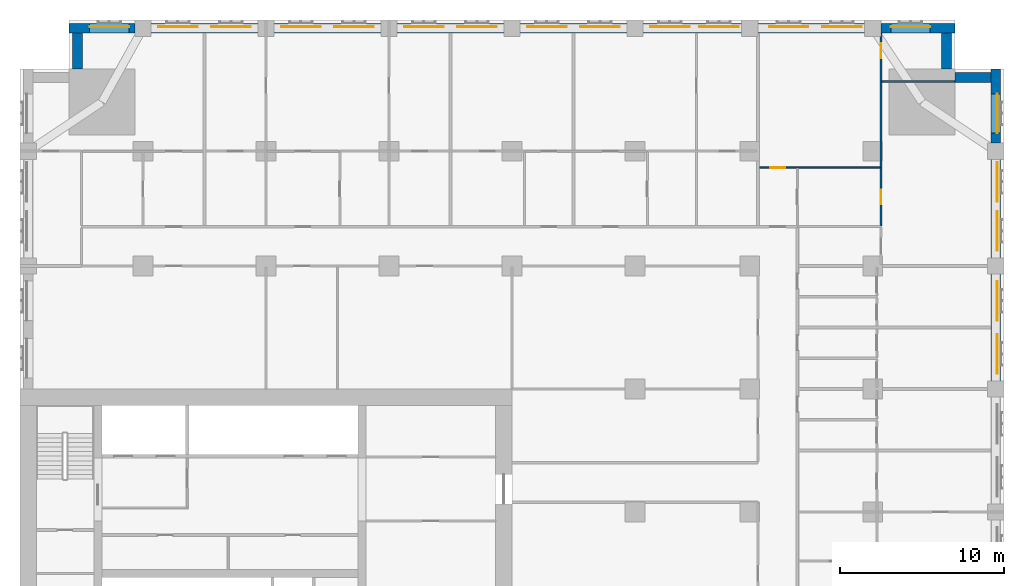
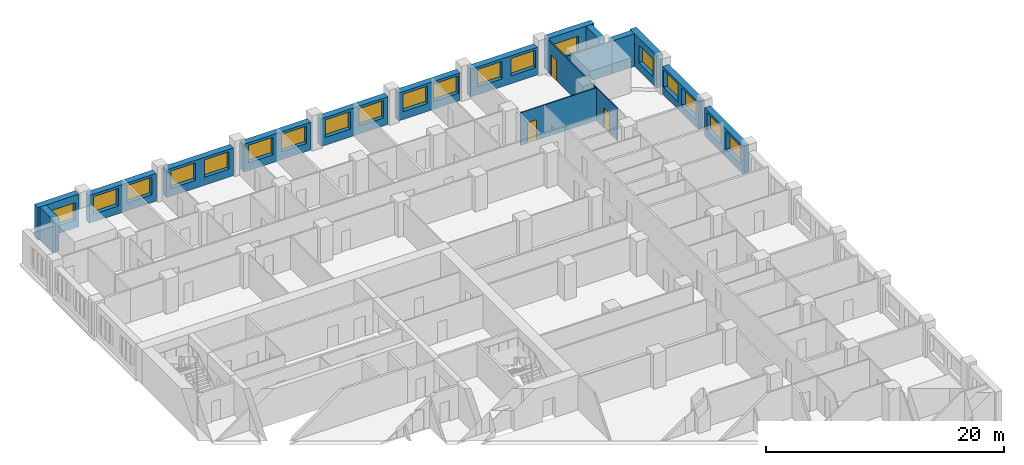
# One storey, part 11 of 14: 19 windows, 17 walls, 3 doors, 22 openings.
"""IFC4 building model written with IfcOpenShell, lengths in metres."""

from ifc_helpers import new_model, si_unit, direction, frame, frame_2d, origin, place, context, subcontext, project, spatial, rectangle, extrude, material, layer, layer_set, type_object, element, fill, save


model = new_model("IFC4")

# Units and contexts
model_context = context("Model", 3, precision=1e-05, world=origin(), true_north=direction((0.0, 1.0)))
body_context = subcontext(model_context, "Body", "Model", "MODEL_VIEW")
ifc_project = project(units=[si_unit("LENGTHUNIT", "METRE"), si_unit("AREAUNIT", "SQUARE_METRE"), si_unit("VOLUMEUNIT", "CUBIC_METRE"), si_unit("PLANEANGLEUNIT", "RADIAN"), si_unit("MASSUNIT", "GRAM", prefix="KILO")], contexts=[model_context])

# Site, building, storey
site_placement = place(None, origin())
site = spatial("IfcSite", under=ifc_project, at=site_placement, CompositionType="ELEMENT")
building_placement = place(site_placement, origin())
building = spatial("IfcBuilding", under=site, at=building_placement, Name="Tamorin Gate", CompositionType="ELEMENT")
storey_placement = place(building_placement, frame((0.0, 0.0, 41.199951171875)))
storey = spatial("IfcBuildingStorey", under=building, at=storey_placement, Name="L08", CompositionType="ELEMENT", Elevation=41.199951171875)

# Wall, openings, windows
ifc_material_1 = material(Name="Precast concrete C40/50", Category="concrete")
ifc_layer_1 = layer(ifc_material_1, 0.60009765625)
ifc_layer_set_1 = layer_set([ifc_layer_1], Name="Precast concrete C40/50")
wall_type_1 = type_object("IfcWallType", Name="Board-marked concrete facade panel 600", PredefinedType="SOLIDWALL", material=ifc_layer_set_1)
wall_1_placement = place(storey_placement, frame((89.5, 83.0, 0.0), z_axis=(0.0, 0.0, 1.0), x_axis=(0.0, 1.0, 0.0)))
wall_1 = element("IfcWall", 1, at=wall_1_placement, inside=storey, type_object=wall_type_1, Name="Facade panel", PredefinedType="SOLIDWALL", context=body_context, shape_type="SweptSolid", body=[
    extrude(rectangle(XDim=6.5, YDim=0.60009765625, at=frame_2d((3.25, 0.0))), origin(), (0.0, 0.0, 1.0), 2.85009765625),
])
opening_1_placement = place(wall_1_placement, frame((0.425048828125, 0.0, 0.800048828125)))
opening_1 = element("IfcOpeningElement", 2, at=opening_1_placement, cuts=wall_1, Name="Opening WN1", PredefinedType="OPENING", context=body_context, shape_type="SweptSolid", body=[
    extrude(rectangle(XDim=2.39990234375, YDim=1.800048828125, at=frame_2d((1.199951171875, 0.89990234375))), frame((0.0, 0.31005859375, 0.0), z_axis=(0.0, -1.0, 0.0), x_axis=(1.0, 0.0, 0.0)), (0.0, 0.0, 1.0), 0.6201171875),
])
opening_2_placement = place(wall_1_placement, frame((3.675048828125, 0.0, 0.800048828125)))
opening_2 = element("IfcOpeningElement", 3, at=opening_2_placement, cuts=wall_1, Name="Opening WN1", PredefinedType="OPENING", context=body_context, shape_type="SweptSolid", body=[
    extrude(rectangle(XDim=2.39990234375, YDim=1.800048828125, at=frame_2d((1.199951171875, 0.89990234375))), frame((0.0, 0.31005859375, 0.0), z_axis=(0.0, -1.0, 0.0), x_axis=(1.0, 0.0, 0.0)), (0.0, 0.0, 1.0), 0.6201171875),
])
ifc_material_2 = material(Name="Clear glass in aluminium frame", Category="aluminium")
window_type = type_object("IfcWindowType", Name="Deep-set window 2400x1800", PartitioningType="SINGLE_PANEL", PredefinedType="WINDOW", material=ifc_material_2)
window_1_placement = place(opening_1_placement, origin())
window_1 = element("IfcWindow", 4, at=window_1_placement, inside=storey, type_object=window_type, Name="Deep-set window", OverallHeight=1.800048828125, OverallWidth=2.39990234375, PartitioningType="SINGLE_PANEL", PredefinedType="WINDOW", context=body_context, shape_type="SweptSolid", body=[
    extrude(rectangle(XDim=2.39990234375, YDim=1.800048828125, at=frame_2d((1.199951171875, 0.89990234375))), frame((0.0, -0.070068359375, 0.0), z_axis=(0.0, -1.0, 0.0), x_axis=(1.0, 0.0, 0.0)), (0.0, 0.0, 1.0), 0.06005859375),
])
fill(opening_1, window_1)
window_2_placement = place(opening_2_placement, origin())
window_2 = element("IfcWindow", 5, at=window_2_placement, inside=storey, type_object=window_type, Name="Deep-set window", OverallHeight=1.800048828125, OverallWidth=2.39990234375, PartitioningType="SINGLE_PANEL", PredefinedType="WINDOW", context=body_context, shape_type="SweptSolid", body=[
    extrude(rectangle(XDim=2.39990234375, YDim=1.800048828125, at=frame_2d((1.199951171875, 0.89990234375))), frame((0.0, -0.070068359375, 0.0), z_axis=(0.0, -1.0, 0.0), x_axis=(1.0, 0.0, 0.0)), (0.0, 0.0, 1.0), 0.06005859375),
])
fill(opening_2, window_2)

wall_2_placement = place(storey_placement, frame((89.5, 90.5, 0.0), z_axis=(0.0, 0.0, 1.0), x_axis=(0.0, 1.0, 0.0)))
wall_2 = element("IfcWall", 6, at=wall_2_placement, inside=storey, type_object=wall_type_1, Name="Facade panel", PredefinedType="SOLIDWALL", context=body_context, shape_type="SweptSolid", body=[
    extrude(rectangle(XDim=6.0, YDim=0.60009765625, at=frame_2d((3.0, 0.0))), origin(), (0.0, 0.0, 1.0), 2.85009765625),
])
opening_3_placement = place(wall_2_placement, frame((0.425048828125, 0.0, 0.800048828125)))
opening_3 = element("IfcOpeningElement", 7, at=opening_3_placement, cuts=wall_2, Name="Opening WN1", PredefinedType="OPENING", context=body_context, shape_type="SweptSolid", body=[
    extrude(rectangle(XDim=2.39990234375, YDim=1.800048828125, at=frame_2d((1.199951171875, 0.89990234375))), frame((0.0, 0.31005859375, 0.0), z_axis=(0.0, -1.0, 0.0), x_axis=(1.0, 0.0, 0.0)), (0.0, 0.0, 1.0), 0.6201171875),
])
opening_4_placement = place(wall_2_placement, frame((3.425048828125, 0.0, 0.800048828125)))
opening_4 = element("IfcOpeningElement", 8, at=opening_4_placement, cuts=wall_2, Name="Opening WN1", PredefinedType="OPENING", context=body_context, shape_type="SweptSolid", body=[
    extrude(rectangle(XDim=2.39990234375, YDim=1.800048828125, at=frame_2d((1.199951171875, 0.89990234375))), frame((0.0, 0.31005859375, 0.0), z_axis=(0.0, -1.0, 0.0), x_axis=(1.0, 0.0, 0.0)), (0.0, 0.0, 1.0), 0.6201171875),
])
window_3_placement = place(opening_3_placement, origin())
window_3 = element("IfcWindow", 9, at=window_3_placement, inside=storey, type_object=window_type, Name="Deep-set window", OverallHeight=1.800048828125, OverallWidth=2.39990234375, PartitioningType="SINGLE_PANEL", PredefinedType="WINDOW", context=body_context, shape_type="SweptSolid", body=[
    extrude(rectangle(XDim=2.39990234375, YDim=1.800048828125, at=frame_2d((1.199951171875, 0.89990234375))), frame((0.0, -0.070068359375, 0.0), z_axis=(0.0, -1.0, 0.0), x_axis=(1.0, 0.0, 0.0)), (0.0, 0.0, 1.0), 0.06005859375),
])
fill(opening_3, window_3)
window_4_placement = place(opening_4_placement, origin())
window_4 = element("IfcWindow", 10, at=window_4_placement, inside=storey, type_object=window_type, Name="Deep-set window", OverallHeight=1.800048828125, OverallWidth=2.39990234375, PartitioningType="SINGLE_PANEL", PredefinedType="WINDOW", context=body_context, shape_type="SweptSolid", body=[
    extrude(rectangle(XDim=2.39990234375, YDim=1.800048828125, at=frame_2d((1.199951171875, 0.89990234375))), frame((0.0, -0.070068359375, 0.0), z_axis=(0.0, -1.0, 0.0), x_axis=(1.0, 0.0, 0.0)), (0.0, 0.0, 1.0), 0.06005859375),
])
fill(opening_4, window_4)

# Wall, opening, window
wall_3_placement = place(storey_placement, frame((89.5, 97.5, 0.0), z_axis=(0.0, 0.0, 1.0), x_axis=(0.0, 1.0, 0.0)))
wall_3 = element("IfcWall", 11, at=wall_3_placement, inside=storey, type_object=wall_type_1, Name="Facade panel", PredefinedType="SOLIDWALL", context=body_context, shape_type="SweptSolid", body=[
    extrude(rectangle(XDim=4.5, YDim=0.60009765625, at=frame_2d((2.25, 0.0))), origin(), (0.0, 0.0, 1.0), 3.35009765625),
])
opening_5_placement = place(wall_3_placement, frame((0.60009765625, 0.0, 0.800048828125)))
opening_5 = element("IfcOpeningElement", 12, at=opening_5_placement, cuts=wall_3, Name="Opening WN1", PredefinedType="OPENING", context=body_context, shape_type="SweptSolid", body=[
    extrude(rectangle(XDim=2.39990234375, YDim=1.800048828125, at=frame_2d((1.199951171875, 0.89990234375))), frame((0.0, 0.31005859375, 0.0), z_axis=(0.0, -1.0, 0.0), x_axis=(1.0, 0.0, 0.0)), (0.0, 0.0, 1.0), 0.6201171875),
])
window_5_placement = place(opening_5_placement, origin())
window_5 = element("IfcWindow", 13, at=window_5_placement, inside=storey, type_object=window_type, Name="Deep-set window", OverallHeight=1.800048828125, OverallWidth=2.39990234375, PartitioningType="SINGLE_PANEL", PredefinedType="WINDOW", context=body_context, shape_type="SweptSolid", body=[
    extrude(rectangle(XDim=2.39990234375, YDim=1.800048828125, at=frame_2d((1.199951171875, 0.89990234375))), frame((0.0, -0.070068359375, 0.0), z_axis=(0.0, -1.0, 0.0), x_axis=(1.0, 0.0, 0.0)), (0.0, 0.0, 1.0), 0.06005859375),
])
fill(opening_5, window_5)

# Walls
for number, where, z_axis, x_axis, name in (
    (14, (89.199951171875, 101.5, 0.0), (0.0, 0.0, 1.0), (-1.0, 0.0, 0.0), "Facade panel"),
    (15, (86.5, 102.0, 0.0), (0.0, 0.0, 1.0), (0.0, 1.0, 0.0), "Facade panel"),
):
    element("IfcWall", number, at=place(storey_placement, frame(where, z_axis=z_axis, x_axis=x_axis)), inside=storey, type_object=wall_type_1, Name=name, PredefinedType="SOLIDWALL", context=body_context, shape_type="SweptSolid", body=[
        extrude(rectangle(XDim=2.199951171875, YDim=0.60009765625, at=frame_2d((1.10009765625, 0.0))), origin(), (0.0, 0.0, 1.0), 3.35009765625),
    ])

# Wall, opening, window
wall_4_placement = place(storey_placement, frame((87.0, 104.5, 0.0), z_axis=(0.0, 0.0, 1.0), x_axis=(-1.0, 0.0, 0.0)))
wall_4 = element("IfcWall", 16, at=wall_4_placement, inside=storey, type_object=wall_type_1, Name="Facade panel", PredefinedType="SOLIDWALL", context=body_context, shape_type="SweptSolid", body=[
    extrude(rectangle(XDim=4.5, YDim=0.60009765625, at=frame_2d((2.25, 0.0))), origin(), (0.0, 0.0, 1.0), 3.35009765625),
])
opening_6_placement = place(wall_4_placement, frame((1.5, 0.0, 0.800048828125)))
opening_6 = element("IfcOpeningElement", 17, at=opening_6_placement, cuts=wall_4, Name="Opening WN1", PredefinedType="OPENING", context=body_context, shape_type="SweptSolid", body=[
    extrude(rectangle(XDim=2.39990234375, YDim=1.800048828125, at=frame_2d((1.199951171875, 0.89990234375))), frame((0.0, 0.31005859375, 0.0), z_axis=(0.0, -1.0, 0.0), x_axis=(1.0, 0.0, 0.0)), (0.0, 0.0, 1.0), 0.6201171875),
])
window_6_placement = place(opening_6_placement, origin())
window_6 = element("IfcWindow", 18, at=window_6_placement, inside=storey, type_object=window_type, Name="Deep-set window", OverallHeight=1.800048828125, OverallWidth=2.39990234375, PartitioningType="SINGLE_PANEL", PredefinedType="WINDOW", context=body_context, shape_type="SweptSolid", body=[
    extrude(rectangle(XDim=2.39990234375, YDim=1.800048828125, at=frame_2d((1.199951171875, 0.89990234375))), frame((0.0, -0.070068359375, 0.0), z_axis=(0.0, -1.0, 0.0), x_axis=(1.0, 0.0, 0.0)), (0.0, 0.0, 1.0), 0.06005859375),
])
fill(opening_6, window_6)

# Wall, openings, windows
wall_5_placement = place(storey_placement, frame((81.5, 104.5, 0.0), z_axis=(0.0, 0.0, 1.0), x_axis=(-1.0, 0.0, 0.0)))
wall_5 = element("IfcWall", 19, at=wall_5_placement, inside=storey, type_object=wall_type_1, Name="Facade panel", PredefinedType="SOLIDWALL", context=body_context, shape_type="SweptSolid", body=[
    extrude(rectangle(XDim=6.5, YDim=0.60009765625, at=frame_2d((3.25, 0.0))), origin(), (0.0, 0.0, 1.0), 2.85009765625),
])
opening_7_placement = place(wall_5_placement, frame((3.425048828125, 0.0, 0.800048828125)))
opening_7 = element("IfcOpeningElement", 20, at=opening_7_placement, cuts=wall_5, Name="Opening WN1", PredefinedType="OPENING", context=body_context, shape_type="SweptSolid", body=[
    extrude(rectangle(XDim=2.39990234375, YDim=1.800048828125, at=frame_2d((1.199951171875, 0.89990234375))), frame((0.0, 0.31005859375, 0.0), z_axis=(0.0, -1.0, 0.0), x_axis=(1.0, 0.0, 0.0)), (0.0, 0.0, 1.0), 0.6201171875),
])
opening_8_placement = place(wall_5_placement, frame((0.175048828125, 0.0, 0.800048828125)))
opening_8 = element("IfcOpeningElement", 21, at=opening_8_placement, cuts=wall_5, Name="Opening WN1", PredefinedType="OPENING", context=body_context, shape_type="SweptSolid", body=[
    extrude(rectangle(XDim=2.39990234375, YDim=1.800048828125, at=frame_2d((1.199951171875, 0.89990234375))), frame((0.0, 0.31005859375, 0.0), z_axis=(0.0, -1.0, 0.0), x_axis=(1.0, 0.0, 0.0)), (0.0, 0.0, 1.0), 0.6201171875),
])
window_7_placement = place(opening_7_placement, origin())
window_7 = element("IfcWindow", 22, at=window_7_placement, inside=storey, type_object=window_type, Name="Deep-set window", OverallHeight=1.800048828125, OverallWidth=2.39990234375, PartitioningType="SINGLE_PANEL", PredefinedType="WINDOW", context=body_context, shape_type="SweptSolid", body=[
    extrude(rectangle(XDim=2.39990234375, YDim=1.800048828125, at=frame_2d((1.199951171875, 0.89990234375))), frame((0.0, -0.070068359375, 0.0), z_axis=(0.0, -1.0, 0.0), x_axis=(1.0, 0.0, 0.0)), (0.0, 0.0, 1.0), 0.06005859375),
])
fill(opening_7, window_7)
window_8_placement = place(opening_8_placement, origin())
window_8 = element("IfcWindow", 23, at=window_8_placement, inside=storey, type_object=window_type, Name="Deep-set window", OverallHeight=1.800048828125, OverallWidth=2.39990234375, PartitioningType="SINGLE_PANEL", PredefinedType="WINDOW", context=body_context, shape_type="SweptSolid", body=[
    extrude(rectangle(XDim=2.39990234375, YDim=1.800048828125, at=frame_2d((1.199951171875, 0.89990234375))), frame((0.0, -0.070068359375, 0.0), z_axis=(0.0, -1.0, 0.0), x_axis=(1.0, 0.0, 0.0)), (0.0, 0.0, 1.0), 0.06005859375),
])
fill(opening_8, window_8)

wall_6_placement = place(storey_placement, frame((74.0, 104.5, 0.0), z_axis=(0.0, 0.0, 1.0), x_axis=(-1.0, 0.0, 0.0)))
wall_6 = element("IfcWall", 24, at=wall_6_placement, inside=storey, type_object=wall_type_1, Name="Facade panel", PredefinedType="SOLIDWALL", context=body_context, shape_type="SweptSolid", body=[
    extrude(rectangle(XDim=6.0, YDim=0.60009765625, at=frame_2d((3.0, 0.0))), origin(), (0.0, 0.0, 1.0), 2.85009765625),
])
opening_9_placement = place(wall_6_placement, frame((3.175048828125, 0.0, 0.800048828125)))
opening_9 = element("IfcOpeningElement", 25, at=opening_9_placement, cuts=wall_6, Name="Opening WN1", PredefinedType="OPENING", context=body_context, shape_type="SweptSolid", body=[
    extrude(rectangle(XDim=2.39990234375, YDim=1.800048828125, at=frame_2d((1.199951171875, 0.89990234375))), frame((0.0, 0.31005859375, 0.0), z_axis=(0.0, -1.0, 0.0), x_axis=(1.0, 0.0, 0.0)), (0.0, 0.0, 1.0), 0.6201171875),
])
opening_10_placement = place(wall_6_placement, frame((0.175048828125, 0.0, 0.800048828125)))
opening_10 = element("IfcOpeningElement", 26, at=opening_10_placement, cuts=wall_6, Name="Opening WN1", PredefinedType="OPENING", context=body_context, shape_type="SweptSolid", body=[
    extrude(rectangle(XDim=2.39990234375, YDim=1.800048828125, at=frame_2d((1.199951171875, 0.89990234375))), frame((0.0, 0.31005859375, 0.0), z_axis=(0.0, -1.0, 0.0), x_axis=(1.0, 0.0, 0.0)), (0.0, 0.0, 1.0), 0.6201171875),
])
window_9_placement = place(opening_9_placement, origin())
window_9 = element("IfcWindow", 27, at=window_9_placement, inside=storey, type_object=window_type, Name="Deep-set window", OverallHeight=1.800048828125, OverallWidth=2.39990234375, PartitioningType="SINGLE_PANEL", PredefinedType="WINDOW", context=body_context, shape_type="SweptSolid", body=[
    extrude(rectangle(XDim=2.39990234375, YDim=1.800048828125, at=frame_2d((1.199951171875, 0.89990234375))), frame((0.0, -0.070068359375, 0.0), z_axis=(0.0, -1.0, 0.0), x_axis=(1.0, 0.0, 0.0)), (0.0, 0.0, 1.0), 0.06005859375),
])
fill(opening_9, window_9)
window_10_placement = place(opening_10_placement, origin())
window_10 = element("IfcWindow", 28, at=window_10_placement, inside=storey, type_object=window_type, Name="Deep-set window", OverallHeight=1.800048828125, OverallWidth=2.39990234375, PartitioningType="SINGLE_PANEL", PredefinedType="WINDOW", context=body_context, shape_type="SweptSolid", body=[
    extrude(rectangle(XDim=2.39990234375, YDim=1.800048828125, at=frame_2d((1.199951171875, 0.89990234375))), frame((0.0, -0.070068359375, 0.0), z_axis=(0.0, -1.0, 0.0), x_axis=(1.0, 0.0, 0.0)), (0.0, 0.0, 1.0), 0.06005859375),
])
fill(opening_10, window_10)

wall_7_placement = place(storey_placement, frame((67.0, 104.5, 0.0), z_axis=(0.0, 0.0, 1.0), x_axis=(-1.0, 0.0, 0.0)))
wall_7 = element("IfcWall", 29, at=wall_7_placement, inside=storey, type_object=wall_type_1, Name="Facade panel", PredefinedType="SOLIDWALL", context=body_context, shape_type="SweptSolid", body=[
    extrude(rectangle(XDim=6.5, YDim=0.60009765625, at=frame_2d((3.25, 0.0))), origin(), (0.0, 0.0, 1.0), 2.85009765625),
])
opening_11_placement = place(wall_7_placement, frame((3.675048828125, 0.0, 0.800048828125)))
opening_11 = element("IfcOpeningElement", 30, at=opening_11_placement, cuts=wall_7, Name="Opening WN1", PredefinedType="OPENING", context=body_context, shape_type="SweptSolid", body=[
    extrude(rectangle(XDim=2.39990234375, YDim=1.800048828125, at=frame_2d((1.199951171875, 0.89990234375))), frame((0.0, 0.31005859375, 0.0), z_axis=(0.0, -1.0, 0.0), x_axis=(1.0, 0.0, 0.0)), (0.0, 0.0, 1.0), 0.6201171875),
])
opening_12_placement = place(wall_7_placement, frame((0.425048828125, 0.0, 0.800048828125)))
opening_12 = element("IfcOpeningElement", 31, at=opening_12_placement, cuts=wall_7, Name="Opening WN1", PredefinedType="OPENING", context=body_context, shape_type="SweptSolid", body=[
    extrude(rectangle(XDim=2.39990234375, YDim=1.800048828125, at=frame_2d((1.199951171875, 0.89990234375))), frame((0.0, 0.31005859375, 0.0), z_axis=(0.0, -1.0, 0.0), x_axis=(1.0, 0.0, 0.0)), (0.0, 0.0, 1.0), 0.6201171875),
])
window_11_placement = place(opening_11_placement, origin())
window_11 = element("IfcWindow", 32, at=window_11_placement, inside=storey, type_object=window_type, Name="Deep-set window", OverallHeight=1.800048828125, OverallWidth=2.39990234375, PartitioningType="SINGLE_PANEL", PredefinedType="WINDOW", context=body_context, shape_type="SweptSolid", body=[
    extrude(rectangle(XDim=2.39990234375, YDim=1.800048828125, at=frame_2d((1.199951171875, 0.89990234375))), frame((0.0, -0.070068359375, 0.0), z_axis=(0.0, -1.0, 0.0), x_axis=(1.0, 0.0, 0.0)), (0.0, 0.0, 1.0), 0.06005859375),
])
fill(opening_11, window_11)
window_12_placement = place(opening_12_placement, origin())
window_12 = element("IfcWindow", 33, at=window_12_placement, inside=storey, type_object=window_type, Name="Deep-set window", OverallHeight=1.800048828125, OverallWidth=2.39990234375, PartitioningType="SINGLE_PANEL", PredefinedType="WINDOW", context=body_context, shape_type="SweptSolid", body=[
    extrude(rectangle(XDim=2.39990234375, YDim=1.800048828125, at=frame_2d((1.199951171875, 0.89990234375))), frame((0.0, -0.070068359375, 0.0), z_axis=(0.0, -1.0, 0.0), x_axis=(1.0, 0.0, 0.0)), (0.0, 0.0, 1.0), 0.06005859375),
])
fill(opening_12, window_12)

wall_8_placement = place(storey_placement, frame((59.5, 104.5, 0.0), z_axis=(0.0, 0.0, 1.0), x_axis=(-1.0, 0.0, 0.0)))
wall_8 = element("IfcWall", 34, at=wall_8_placement, inside=storey, type_object=wall_type_1, Name="Facade panel", PredefinedType="SOLIDWALL", context=body_context, shape_type="SweptSolid", body=[
    extrude(rectangle(XDim=6.5, YDim=0.60009765625, at=frame_2d((3.25, 0.0))), origin(), (0.0, 0.0, 1.0), 2.85009765625),
])
opening_13_placement = place(wall_8_placement, frame((3.675048828125, 0.0, 0.800048828125)))
opening_13 = element("IfcOpeningElement", 35, at=opening_13_placement, cuts=wall_8, Name="Opening WN1", PredefinedType="OPENING", context=body_context, shape_type="SweptSolid", body=[
    extrude(rectangle(XDim=2.39990234375, YDim=1.800048828125, at=frame_2d((1.199951171875, 0.89990234375))), frame((0.0, 0.31005859375, 0.0), z_axis=(0.0, -1.0, 0.0), x_axis=(1.0, 0.0, 0.0)), (0.0, 0.0, 1.0), 0.6201171875),
])
opening_14_placement = place(wall_8_placement, frame((0.425048828125, 0.0, 0.800048828125)))
opening_14 = element("IfcOpeningElement", 36, at=opening_14_placement, cuts=wall_8, Name="Opening WN1", PredefinedType="OPENING", context=body_context, shape_type="SweptSolid", body=[
    extrude(rectangle(XDim=2.39990234375, YDim=1.800048828125, at=frame_2d((1.199951171875, 0.89990234375))), frame((0.0, 0.31005859375, 0.0), z_axis=(0.0, -1.0, 0.0), x_axis=(1.0, 0.0, 0.0)), (0.0, 0.0, 1.0), 0.6201171875),
])
window_13_placement = place(opening_13_placement, origin())
window_13 = element("IfcWindow", 37, at=window_13_placement, inside=storey, type_object=window_type, Name="Deep-set window", OverallHeight=1.800048828125, OverallWidth=2.39990234375, PartitioningType="SINGLE_PANEL", PredefinedType="WINDOW", context=body_context, shape_type="SweptSolid", body=[
    extrude(rectangle(XDim=2.39990234375, YDim=1.800048828125, at=frame_2d((1.199951171875, 0.89990234375))), frame((0.0, -0.070068359375, 0.0), z_axis=(0.0, -1.0, 0.0), x_axis=(1.0, 0.0, 0.0)), (0.0, 0.0, 1.0), 0.06005859375),
])
fill(opening_13, window_13)
window_14_placement = place(opening_14_placement, origin())
window_14 = element("IfcWindow", 38, at=window_14_placement, inside=storey, type_object=window_type, Name="Deep-set window", OverallHeight=1.800048828125, OverallWidth=2.39990234375, PartitioningType="SINGLE_PANEL", PredefinedType="WINDOW", context=body_context, shape_type="SweptSolid", body=[
    extrude(rectangle(XDim=2.39990234375, YDim=1.800048828125, at=frame_2d((1.199951171875, 0.89990234375))), frame((0.0, -0.070068359375, 0.0), z_axis=(0.0, -1.0, 0.0), x_axis=(1.0, 0.0, 0.0)), (0.0, 0.0, 1.0), 0.06005859375),
])
fill(opening_14, window_14)

wall_9_placement = place(storey_placement, frame((52.0, 104.5, 0.0), z_axis=(0.0, 0.0, 1.0), x_axis=(-1.0, 0.0, 0.0)))
wall_9 = element("IfcWall", 39, at=wall_9_placement, inside=storey, type_object=wall_type_1, Name="Facade panel", PredefinedType="SOLIDWALL", context=body_context, shape_type="SweptSolid", body=[
    extrude(rectangle(XDim=6.5, YDim=0.60009765625, at=frame_2d((3.25, 0.0))), origin(), (0.0, 0.0, 1.0), 2.85009765625),
])
opening_15_placement = place(wall_9_placement, frame((3.675048828125, 0.0, 0.800048828125)))
opening_15 = element("IfcOpeningElement", 40, at=opening_15_placement, cuts=wall_9, Name="Opening WN1", PredefinedType="OPENING", context=body_context, shape_type="SweptSolid", body=[
    extrude(rectangle(XDim=2.39990234375, YDim=1.800048828125, at=frame_2d((1.199951171875, 0.89990234375))), frame((0.0, 0.31005859375, 0.0), z_axis=(0.0, -1.0, 0.0), x_axis=(1.0, 0.0, 0.0)), (0.0, 0.0, 1.0), 0.6201171875),
])
opening_16_placement = place(wall_9_placement, frame((0.425048828125, 0.0, 0.800048828125)))
opening_16 = element("IfcOpeningElement", 41, at=opening_16_placement, cuts=wall_9, Name="Opening WN1", PredefinedType="OPENING", context=body_context, shape_type="SweptSolid", body=[
    extrude(rectangle(XDim=2.39990234375, YDim=1.800048828125, at=frame_2d((1.199951171875, 0.89990234375))), frame((0.0, 0.31005859375, 0.0), z_axis=(0.0, -1.0, 0.0), x_axis=(1.0, 0.0, 0.0)), (0.0, 0.0, 1.0), 0.6201171875),
])
window_15_placement = place(opening_15_placement, origin())
window_15 = element("IfcWindow", 42, at=window_15_placement, inside=storey, type_object=window_type, Name="Deep-set window", OverallHeight=1.800048828125, OverallWidth=2.39990234375, PartitioningType="SINGLE_PANEL", PredefinedType="WINDOW", context=body_context, shape_type="SweptSolid", body=[
    extrude(rectangle(XDim=2.39990234375, YDim=1.800048828125, at=frame_2d((1.199951171875, 0.89990234375))), frame((0.0, -0.070068359375, 0.0), z_axis=(0.0, -1.0, 0.0), x_axis=(1.0, 0.0, 0.0)), (0.0, 0.0, 1.0), 0.06005859375),
])
fill(opening_15, window_15)
window_16_placement = place(opening_16_placement, origin())
window_16 = element("IfcWindow", 43, at=window_16_placement, inside=storey, type_object=window_type, Name="Deep-set window", OverallHeight=1.800048828125, OverallWidth=2.39990234375, PartitioningType="SINGLE_PANEL", PredefinedType="WINDOW", context=body_context, shape_type="SweptSolid", body=[
    extrude(rectangle(XDim=2.39990234375, YDim=1.800048828125, at=frame_2d((1.199951171875, 0.89990234375))), frame((0.0, -0.070068359375, 0.0), z_axis=(0.0, -1.0, 0.0), x_axis=(1.0, 0.0, 0.0)), (0.0, 0.0, 1.0), 0.06005859375),
])
fill(opening_16, window_16)

wall_10_placement = place(storey_placement, frame((44.5, 104.5, 0.0), z_axis=(0.0, 0.0, 1.0), x_axis=(-1.0, 0.0, 0.0)))
wall_10 = element("IfcWall", 44, at=wall_10_placement, inside=storey, type_object=wall_type_1, Name="Facade panel", PredefinedType="SOLIDWALL", context=body_context, shape_type="SweptSolid", body=[
    extrude(rectangle(XDim=6.5, YDim=0.60009765625, at=frame_2d((3.25, 0.0))), origin(), (0.0, 0.0, 1.0), 2.85009765625),
])
opening_17_placement = place(wall_10_placement, frame((3.675048828125, 0.0, 0.800048828125)))
opening_17 = element("IfcOpeningElement", 45, at=opening_17_placement, cuts=wall_10, Name="Opening WN1", PredefinedType="OPENING", context=body_context, shape_type="SweptSolid", body=[
    extrude(rectangle(XDim=2.39990234375, YDim=1.800048828125, at=frame_2d((1.199951171875, 0.89990234375))), frame((0.0, 0.31005859375, 0.0), z_axis=(0.0, -1.0, 0.0), x_axis=(1.0, 0.0, 0.0)), (0.0, 0.0, 1.0), 0.6201171875),
])
opening_18_placement = place(wall_10_placement, frame((0.425048828125, 0.0, 0.800048828125)))
opening_18 = element("IfcOpeningElement", 46, at=opening_18_placement, cuts=wall_10, Name="Opening WN1", PredefinedType="OPENING", context=body_context, shape_type="SweptSolid", body=[
    extrude(rectangle(XDim=2.39990234375, YDim=1.800048828125, at=frame_2d((1.199951171875, 0.89990234375))), frame((0.0, 0.31005859375, 0.0), z_axis=(0.0, -1.0, 0.0), x_axis=(1.0, 0.0, 0.0)), (0.0, 0.0, 1.0), 0.6201171875),
])
window_17_placement = place(opening_17_placement, origin())
window_17 = element("IfcWindow", 47, at=window_17_placement, inside=storey, type_object=window_type, Name="Deep-set window", OverallHeight=1.800048828125, OverallWidth=2.39990234375, PartitioningType="SINGLE_PANEL", PredefinedType="WINDOW", context=body_context, shape_type="SweptSolid", body=[
    extrude(rectangle(XDim=2.39990234375, YDim=1.800048828125, at=frame_2d((1.199951171875, 0.89990234375))), frame((0.0, -0.070068359375, 0.0), z_axis=(0.0, -1.0, 0.0), x_axis=(1.0, 0.0, 0.0)), (0.0, 0.0, 1.0), 0.06005859375),
])
fill(opening_17, window_17)
window_18_placement = place(opening_18_placement, origin())
window_18 = element("IfcWindow", 48, at=window_18_placement, inside=storey, type_object=window_type, Name="Deep-set window", OverallHeight=1.800048828125, OverallWidth=2.39990234375, PartitioningType="SINGLE_PANEL", PredefinedType="WINDOW", context=body_context, shape_type="SweptSolid", body=[
    extrude(rectangle(XDim=2.39990234375, YDim=1.800048828125, at=frame_2d((1.199951171875, 0.89990234375))), frame((0.0, -0.070068359375, 0.0), z_axis=(0.0, -1.0, 0.0), x_axis=(1.0, 0.0, 0.0)), (0.0, 0.0, 1.0), 0.06005859375),
])
fill(opening_18, window_18)

# Wall, opening, window
wall_11_placement = place(storey_placement, frame((37.0, 104.5, 0.0), z_axis=(0.0, 0.0, 1.0), x_axis=(-1.0, 0.0, 0.0)))
wall_11 = element("IfcWall", 49, at=wall_11_placement, inside=storey, type_object=wall_type_1, Name="Facade panel", PredefinedType="SOLIDWALL", context=body_context, shape_type="SweptSolid", body=[
    extrude(rectangle(XDim=4.0, YDim=0.60009765625, at=frame_2d((2.0, 0.0))), origin(), (0.0, 0.0, 1.0), 3.35009765625),
])
opening_19_placement = place(wall_11_placement, frame((0.35009765625, 0.0, 0.800048828125)))
opening_19 = element("IfcOpeningElement", 50, at=opening_19_placement, cuts=wall_11, Name="Opening WN1", PredefinedType="OPENING", context=body_context, shape_type="SweptSolid", body=[
    extrude(rectangle(XDim=2.39990234375, YDim=1.800048828125, at=frame_2d((1.199951171875, 0.89990234375))), frame((0.0, 0.31005859375, 0.0), z_axis=(0.0, -1.0, 0.0), x_axis=(1.0, 0.0, 0.0)), (0.0, 0.0, 1.0), 0.6201171875),
])
window_19_placement = place(opening_19_placement, origin())
window_19 = element("IfcWindow", 51, at=window_19_placement, inside=storey, type_object=window_type, Name="Deep-set window", OverallHeight=1.800048828125, OverallWidth=2.39990234375, PartitioningType="SINGLE_PANEL", PredefinedType="WINDOW", context=body_context, shape_type="SweptSolid", body=[
    extrude(rectangle(XDim=2.39990234375, YDim=1.800048828125, at=frame_2d((1.199951171875, 0.89990234375))), frame((0.0, -0.070068359375, 0.0), z_axis=(0.0, -1.0, 0.0), x_axis=(1.0, 0.0, 0.0)), (0.0, 0.0, 1.0), 0.06005859375),
])
fill(opening_19, window_19)

# Wall
wall_12_placement = place(storey_placement, frame((33.5, 104.199951171875, 0.0), z_axis=(0.0, 0.0, 1.0), x_axis=(0.0, -1.0, 0.0)))
element("IfcWall", 52, at=wall_12_placement, inside=storey, type_object=wall_type_1, Name="Facade panel", PredefinedType="SOLIDWALL", context=body_context, shape_type="SweptSolid", body=[
    extrude(rectangle(XDim=2.199951171875, YDim=0.60009765625, at=frame_2d((1.10009765625, 0.0))), origin(), (0.0, 0.0, 1.0), 3.35009765625),
])

# Wall, opening, door
ifc_material_3 = material(Name="Gypsum board partition")
ifc_layer_2 = layer(ifc_material_3, 0.10009765625)
ifc_layer_set_2 = layer_set([ifc_layer_2], Name="Room partition 100")
wall_type_2 = type_object("IfcWallType", Name="Room partition 100", PredefinedType="PARTITIONING", material=ifc_layer_set_2)
wall_13_placement = place(storey_placement, frame((75.10009765625, 96.0, 0.0), z_axis=(0.0, 0.0, 1.0), x_axis=(1.0, 0.0, 0.0)))
wall_13 = element("IfcWall", 53, at=wall_13_placement, inside=storey, type_object=wall_type_2, Name="Room partition 100", PredefinedType="PARTITIONING", context=body_context, shape_type="SweptSolid", body=[
    extrude(rectangle(XDim=7.349853515625, YDim=0.10009765625, at=frame_2d((3.6748046875, 0.0))), origin(), (0.0, 0.0, 1.0), 3.35009765625),
])
opening_20_placement = place(wall_13_placement, frame((0.64990234375, 0.0, 0.0)))
opening_20 = element("IfcOpeningElement", 54, at=opening_20_placement, cuts=wall_13, Name="Opening DH3068", PredefinedType="OPENING", context=body_context, shape_type="SweptSolid", body=[
    extrude(rectangle(XDim=0.89990234375, YDim=2.10009765625, at=frame_2d((0.449951171875, 1.050048828125))), frame((0.0, 0.06005859375, 0.0), z_axis=(0.0, -1.0, 0.0), x_axis=(1.0, 0.0, 0.0)), (0.0, 0.0, 1.0), 0.1201171875),
])
ifc_material_4 = material(Name="Timber door leaf", Category="wood")
door_type = type_object("IfcDoorType", Name="Door 900 x 2100", OperationType="NOTDEFINED", PredefinedType="DOOR", material=ifc_material_4)
door_1_placement = place(opening_20_placement, origin())
door_1 = element("IfcDoor", 55, at=door_1_placement, inside=storey, type_object=door_type, Name="Door DH3068", OperationType="SINGLE_SWING_LEFT", OverallHeight=2.10009765625, OverallWidth=0.89990234375, PredefinedType="DOOR", context=body_context, shape_type="SweptSolid", body=[
    extrude(rectangle(XDim=0.89990234375, YDim=2.10009765625, at=frame_2d((0.449951171875, 1.050048828125))), frame((0.0, 0.02490234375, 0.0), z_axis=(0.0, -1.0, 0.0), x_axis=(1.0, 0.0, 0.0)), (0.0, 0.0, 1.0), 0.050048828125),
])
fill(opening_20, door_1)

# Wall
wall_14_placement = place(storey_placement, frame((82.550048828125, 101.25, 0.0), z_axis=(0.0, 0.0, 1.0), x_axis=(1.0, 0.0, 0.0)))
element("IfcWall", 56, at=wall_14_placement, inside=storey, type_object=wall_type_2, Name="Room partition 100", PredefinedType="PARTITIONING", context=body_context, shape_type="SweptSolid", body=[
    extrude(rectangle(XDim=4.43994140625, YDim=0.10009765625, at=frame_2d((2.219970703125, 0.0))), origin(), (0.0, 0.0, 1.0), 3.35009765625),
])

# Wall, openings, doors
wall_15_placement = place(storey_placement, frame((82.5, 92.46240234375, 0.0), z_axis=(0.0, 0.0, 1.0), x_axis=(0.0, 1.0, 0.0)))
wall_15 = element("IfcWall", 57, at=wall_15_placement, inside=storey, type_object=wall_type_2, Name="Room partition 100", PredefinedType="PARTITIONING", context=body_context, shape_type="SweptSolid", body=[
    extrude(rectangle(XDim=11.7275390625, YDim=0.10009765625, at=frame_2d((5.86376953125, 0.0))), origin(), (0.0, 0.0, 1.0), 3.35009765625),
])
opening_21_placement = place(wall_15_placement, frame((10.21240234375, 0.0, 0.0)))
opening_21 = element("IfcOpeningElement", 58, at=opening_21_placement, cuts=wall_15, Name="Opening DH3070", PredefinedType="OPENING", context=body_context, shape_type="SweptSolid", body=[
    extrude(rectangle(XDim=0.89990234375, YDim=2.10009765625, at=frame_2d((0.449951171875, 1.050048828125))), frame((0.0, 0.06005859375, 0.0), z_axis=(0.0, -1.0, 0.0), x_axis=(1.0, 0.0, 0.0)), (0.0, 0.0, 1.0), 0.1201171875),
])
opening_22_placement = place(wall_15_placement, frame((1.28759765625, 0.0, 0.0)))
opening_22 = element("IfcOpeningElement", 59, at=opening_22_placement, cuts=wall_15, Name="Opening DH3071", PredefinedType="OPENING", context=body_context, shape_type="SweptSolid", body=[
    extrude(rectangle(XDim=0.89990234375, YDim=2.10009765625, at=frame_2d((0.449951171875, 1.050048828125))), frame((0.0, 0.06005859375, 0.0), z_axis=(0.0, -1.0, 0.0), x_axis=(1.0, 0.0, 0.0)), (0.0, 0.0, 1.0), 0.1201171875),
])
door_2_placement = place(opening_21_placement, origin())
door_2 = element("IfcDoor", 60, at=door_2_placement, inside=storey, type_object=door_type, Name="Door DH3070", OperationType="SINGLE_SWING_LEFT", OverallHeight=2.10009765625, OverallWidth=0.89990234375, PredefinedType="DOOR", context=body_context, shape_type="SweptSolid", body=[
    extrude(rectangle(XDim=0.89990234375, YDim=2.10009765625, at=frame_2d((0.449951171875, 1.050048828125))), frame((0.0, 0.02490234375, 0.0), z_axis=(0.0, -1.0, 0.0), x_axis=(1.0, 0.0, 0.0)), (0.0, 0.0, 1.0), 0.050048828125),
])
fill(opening_21, door_2)
door_3_placement = place(opening_22_placement, origin())
door_3 = element("IfcDoor", 61, at=door_3_placement, inside=storey, type_object=door_type, Name="Door DH3071", OperationType="SINGLE_SWING_RIGHT", OverallHeight=2.10009765625, OverallWidth=0.89990234375, PredefinedType="DOOR", context=body_context, shape_type="SweptSolid", body=[
    extrude(rectangle(XDim=0.89990234375, YDim=2.10009765625, at=frame_2d((0.449951171875, 1.050048828125))), frame((0.0, 0.02490234375, 0.0), z_axis=(0.0, -1.0, 0.0), x_axis=(1.0, 0.0, 0.0)), (0.0, 0.0, 1.0), 0.050048828125),
])
fill(opening_22, door_3)

save(model, "model.ifc")
